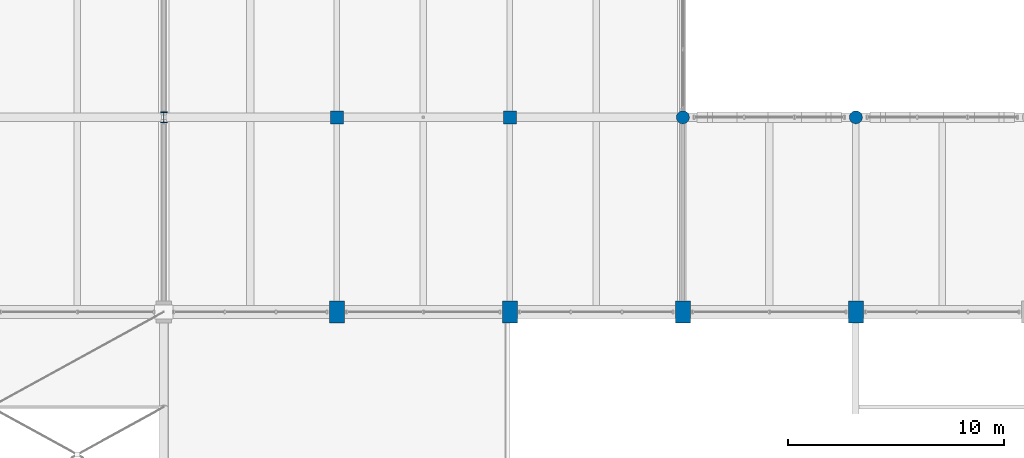
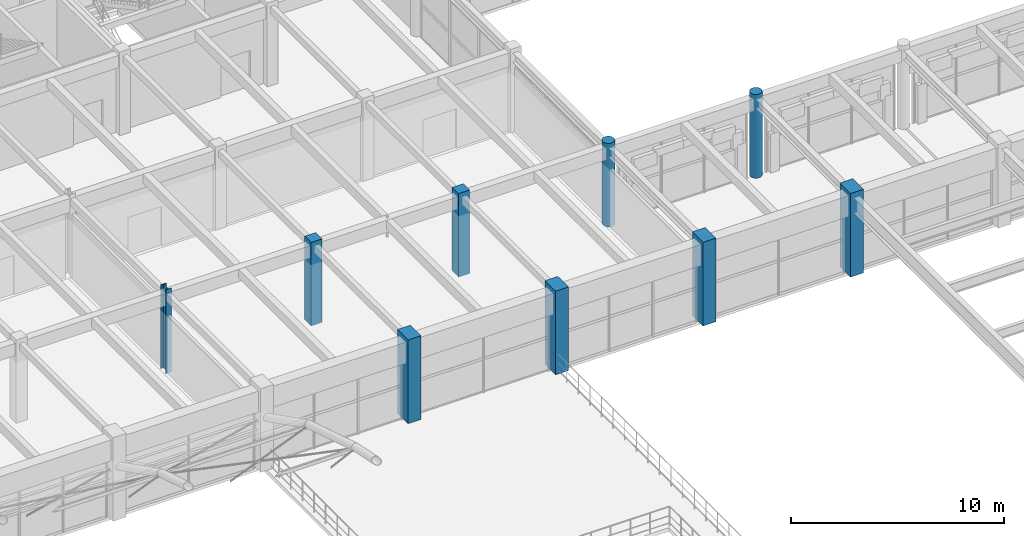
# One storey, part 2 of 144: 9 columns.
"""IFC4 building model written with IfcOpenShell, lengths in metres."""

from ifc_helpers import new_model, si_unit, direction, frame, origin, origin_2d, place, context, subcontext, project, spatial, rectangle, circle, i_section, extrude, material, material_profile, profile_set, type_object, element, save


model = new_model("IFC4")

# Units and contexts
model_context = context("Model", 3, precision=1e-05, world=origin(), true_north=direction((0.0, 1.0)))
body_context = subcontext(model_context, "Body", "Model", "MODEL_VIEW")
ifc_project = project(units=[si_unit("LENGTHUNIT", "METRE"), si_unit("AREAUNIT", "SQUARE_METRE"), si_unit("VOLUMEUNIT", "CUBIC_METRE"), si_unit("PLANEANGLEUNIT", "RADIAN"), si_unit("MASSUNIT", "GRAM", prefix="KILO")], contexts=[model_context])

# Site, building, storey
site_placement = place(None, origin())
site = spatial("IfcSite", under=ifc_project, at=site_placement, CompositionType="ELEMENT")
building_placement = place(site_placement, origin())
building = spatial("IfcBuilding", under=site, at=building_placement, Name="Varnabhumi Central Station", CompositionType="ELEMENT")
storey_placement = place(building_placement, frame((0.0, 0.0, 4.800048828125)))
storey = spatial("IfcBuildingStorey", under=building, at=storey_placement, Name="L01", CompositionType="ELEMENT", Elevation=4.800048828125)

# Columns
ifc_material_1 = material(Name="Concrete M40", Category="concrete")
ifc_material_profile_1 = material_profile(ifc_material_1, rectangle(XDim=0.60009765625, YDim=0.60009765625, at=origin_2d()), Name="Concrete M40", Category="concrete")
ifc_profile_set_1 = profile_set([ifc_material_profile_1], Name="Concrete M40")
column_type_1 = type_object("IfcColumnType", Name="COL-NORTH-600", PredefinedType="COLUMN", material=ifc_profile_set_1)
for number, where, z_axis, x_axis, name in (
    (1, (32.0, 89.0, 0.0), (0.0, 0.0, 1.0), (1.0, 0.0, 0.0), "Column L01-5L"),
    (2, (40.0, 89.0, 0.0), (0.0, 0.0, 1.0), (1.0, 0.0, 0.0), "Column L01-6L"),
):
    element("IfcColumn", number, at=place(storey_placement, frame(where, z_axis=z_axis, x_axis=x_axis)), inside=storey, type_object=column_type_1, Name=name, PredefinedType="COLUMN", context=body_context, shape_type="SweptSolid", body=[
        extrude(rectangle(XDim=0.60009765625, YDim=0.60009765625, at=origin_2d()), origin(), (0.0, 0.0, 1.0), 4.800048828125),
    ])
ifc_material_profile_2 = material_profile(ifc_material_1, circle(Radius=0.300048828125, at=origin_2d()), Name="Concrete M40", Category="concrete")
ifc_profile_set_2 = profile_set([ifc_material_profile_2], Name="Concrete M40")
column_type_2 = type_object("IfcColumnType", Name="COL-RC-D600", PredefinedType="COLUMN", material=ifc_profile_set_2)
for number, where, z_axis, x_axis, name in (
    (3, (48.0, 89.0, 0.0), (0.0, 0.0, 1.0), (1.0, 0.0, 0.0), "Column L01-7L"),
    (4, (56.0, 89.0, 0.0), (0.0, 0.0, 1.0), (1.0, 0.0, 0.0), "Column L01-8L"),
):
    element("IfcColumn", number, at=place(storey_placement, frame(where, z_axis=z_axis, x_axis=x_axis)), inside=storey, type_object=column_type_2, Name=name, PredefinedType="COLUMN", context=body_context, shape_type="SweptSolid", body=[
        extrude(circle(Radius=0.300048828125, at=origin_2d()), origin(), (0.0, 0.0, 1.0), 4.800048828125),
    ])
ifc_material_2 = material(Name="Concrete M50", Category="concrete")
ifc_material_profile_3 = material_profile(ifc_material_2, rectangle(XDim=0.699951171875, YDim=1.0, at=origin_2d()), Name="Concrete M50", Category="concrete")
ifc_profile_set_3 = profile_set([ifc_material_profile_3], Name="Concrete M50")
column_type_3 = type_object("IfcColumnType", Name="COL-SPINE-M50-1000x700", PredefinedType="COLUMN", material=ifc_profile_set_3)
for number, where, z_axis, x_axis, name in (
    (5, (32.0, 80.0, 0.0), (0.0, 0.0, 1.0), (1.0, 0.0, 0.0), "Column L01-5K"),
    (6, (40.0, 80.0, 0.0), (0.0, 0.0, 1.0), (1.0, 0.0, 0.0), "Column L01-6K"),
    (7, (48.0, 80.0, 0.0), (0.0, 0.0, 1.0), (1.0, 0.0, 0.0), "Column L01-7K"),
    (8, (56.0, 80.0, 0.0), (0.0, 0.0, 1.0), (1.0, 0.0, 0.0), "Column L01-8K"),
):
    element("IfcColumn", number, at=place(storey_placement, frame(where, z_axis=z_axis, x_axis=x_axis)), inside=storey, type_object=column_type_3, Name=name, PredefinedType="COLUMN", context=body_context, shape_type="SweptSolid", body=[
        extrude(rectangle(XDim=0.699951171875, YDim=1.0, at=origin_2d()), origin(), (0.0, 0.0, 1.0), 4.800048828125),
    ])
ifc_material_3 = material(Name="Structural steel E350", Category="steel")
ifc_material_profile_4 = material_profile(ifc_material_3, i_section(OverallWidth=0.300048828125, OverallDepth=0.5, WebThickness=0.014404296875, FlangeThickness=0.028076171875, FilletRadius=0.027099609375, at=origin_2d()), Name="Structural steel E350", Category="steel")
ifc_profile_set_4 = profile_set([ifc_material_profile_4], Name="Structural steel E350")
column_type_4 = type_object("IfcColumnType", Name="COL-STL-WPB500", PredefinedType="COLUMN", material=ifc_profile_set_4)
column_placement = place(storey_placement, frame((24.0, 89.0, 0.0), z_axis=(0.0, 0.0, 1.0), x_axis=(1.0, 0.0, 0.0)))
element("IfcColumn", 9, at=column_placement, inside=storey, type_object=column_type_4, Name="Column L01-4L", PredefinedType="COLUMN", context=body_context, shape_type="SweptSolid", body=[
    extrude(i_section(OverallWidth=0.300048828125, OverallDepth=0.5, WebThickness=0.014404296875, FlangeThickness=0.028076171875, FilletRadius=0.027099609375, at=origin_2d()), origin(), (0.0, 0.0, 1.0), 4.800048828125),
])

save(model, "model.ifc")
